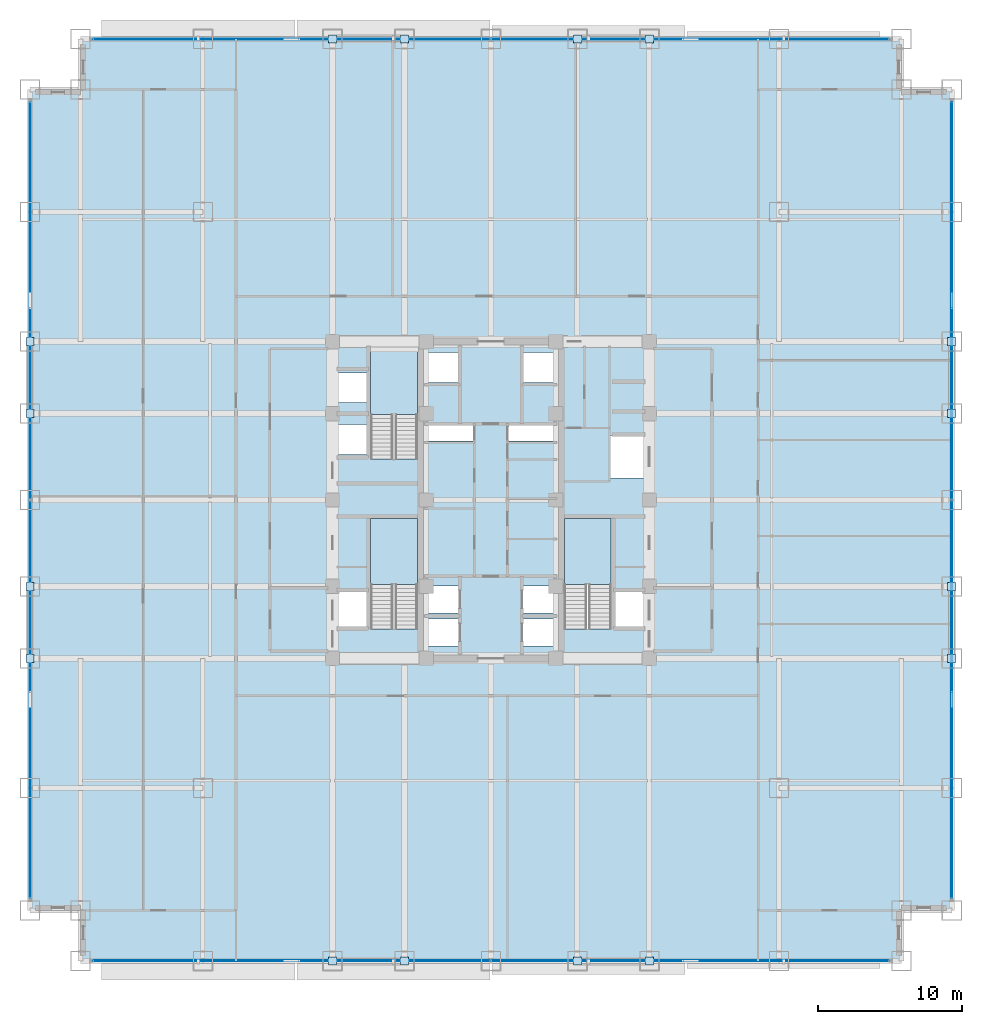
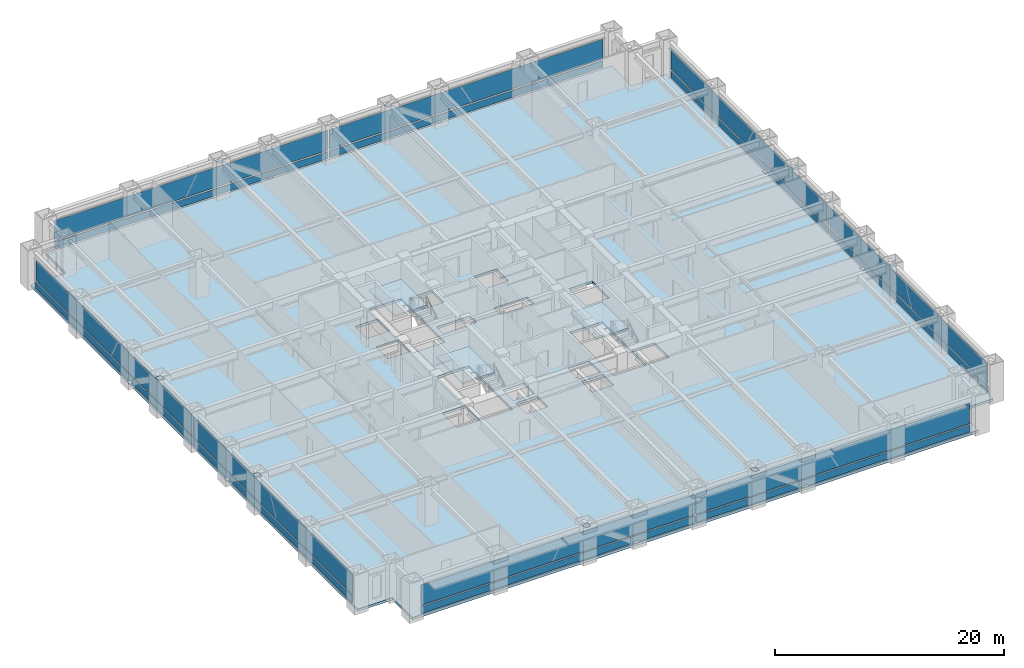
# One storey, part 22 of 32: 32 plates, 4 slabs, 7 elements without a shape of their own.
"""IFC4 building model written with IfcOpenShell, lengths in metres."""

from ifc_helpers import new_model, si_unit, direction, frame, origin, origin_2d, place, context, subcontext, project, spatial, polyline, rectangle, outline, extrude, source, transform, mapped, material, layer, layer_set, type_object, element, aggregate, save


model = new_model("IFC4")

# Units and contexts
model_context = context("Model", 3, precision=1e-05, world=origin(), true_north=direction((0.0, 1.0)))
body_context = subcontext(model_context, "Body", "Model", "MODEL_VIEW")
ifc_project = project(units=[si_unit("LENGTHUNIT", "METRE"), si_unit("AREAUNIT", "SQUARE_METRE"), si_unit("VOLUMEUNIT", "CUBIC_METRE"), si_unit("PLANEANGLEUNIT", "RADIAN"), si_unit("MASSUNIT", "GRAM", prefix="KILO")], contexts=[model_context])

# Site, building, storey
site_placement = place(None, origin())
site = spatial("IfcSite", under=ifc_project, at=site_placement, CompositionType="ELEMENT")
building_placement = place(site_placement, origin())
building = spatial("IfcBuilding", under=site, at=building_placement, Name="Khorayat Bourse Tower", CompositionType="ELEMENT")
storey_placement = place(building_placement, frame((0.0, 0.0, 70.39990234375)))
storey = spatial("IfcBuildingStorey", under=building, at=storey_placement, Name="L15", CompositionType="ELEMENT", Elevation=70.39990234375)

# Stair, slab
ifc_material_1 = material(Name="Concrete C40/50", Category="concrete")
stair_type = type_object("IfcStairType", Name="STR-CORE-1550", PredefinedType="HALF_TURN_STAIR", material=ifc_material_1)
stair_1_placement = place(storey_placement, origin())
stair_1 = element("IfcStair", 1, at=stair_1_placement, inside=storey, type_object=stair_type, Name="L15 Exit Stair ST-1", PredefinedType="HALF_TURN_STAIR")
ifc_layer_1 = layer(ifc_material_1, 0.199951171875)
ifc_layer_set_1 = layer_set([ifc_layer_1], Name="Concrete C40/50")
slab_type_1 = type_object("IfcSlabType", Name="SLB-LANDING-200", PredefinedType="LANDING", material=ifc_layer_set_1)
slab_1_placement = place(storey_placement, frame((0.0, 0.0, 1.900146484375)))
slab_1 = element("IfcSlab", 2, at=slab_1_placement, type_object=slab_type_1, Name="ST-1 landing 1", PredefinedType="LANDING", context=body_context, shape_type="SweptSolid", body=[
    extrude(outline(polyline([(-5.10009765625, -5.8701171875), (-5.10009765625, -1.300048828125), (-8.35009765625, -1.300048828125), (-8.35009765625, -5.8701171875), (-5.10009765625, -5.8701171875)])), origin(), (0.0, 0.0, 1.0), 0.199951171875),
])
aggregate(stair_1, [slab_1])

stair_2_placement = place(storey_placement, origin())
stair_2 = element("IfcStair", 3, at=stair_2_placement, inside=storey, type_object=stair_type, Name="L15 Exit Stair ST-2", PredefinedType="HALF_TURN_STAIR")
slab_2_placement = place(storey_placement, frame((0.0, 0.0, 1.900146484375)))
slab_2 = element("IfcSlab", 4, at=slab_2_placement, type_object=slab_type_1, Name="ST-2 landing 1", PredefinedType="LANDING", context=body_context, shape_type="SweptSolid", body=[
    extrude(outline(polyline([(-5.10009765625, 5.929931640625), (-5.10009765625, 10.5), (-8.35009765625, 10.5), (-8.35009765625, 5.929931640625), (-5.10009765625, 5.929931640625)])), origin(), (0.0, 0.0, 1.0), 0.199951171875),
])
aggregate(stair_2, [slab_2])

stair_3_placement = place(storey_placement, origin())
stair_3 = element("IfcStair", 5, at=stair_3_placement, inside=storey, type_object=stair_type, Name="L15 Exit Stair ST-3", PredefinedType="HALF_TURN_STAIR")
slab_3_placement = place(storey_placement, frame((0.0, 0.0, 1.900146484375)))
slab_3 = element("IfcSlab", 6, at=slab_3_placement, type_object=slab_type_1, Name="ST-3 landing 1", PredefinedType="LANDING", context=body_context, shape_type="SweptSolid", body=[
    extrude(outline(polyline([(8.35009765625, -5.8701171875), (8.35009765625, -1.300048828125), (5.10009765625, -1.300048828125), (5.10009765625, -5.8701171875), (8.35009765625, -5.8701171875)])), origin(), (0.0, 0.0, 1.0), 0.199951171875),
])
aggregate(stair_3, [slab_3])

# Slab
ifc_layer_2 = layer(ifc_material_1, 0.260009765625)
ifc_layer_set_2 = layer_set([ifc_layer_2], Name="Concrete C40/50")
slab_type_2 = type_object("IfcSlabType", Name="SLB-TRADE-260", PredefinedType="FLOOR", material=ifc_layer_set_2)
slab_4_placement = place(storey_placement, frame((0.0, 0.0, -0.260009765625)))
element("IfcSlab", 7, at=slab_4_placement, inside=storey, type_object=slab_type_2, Name="L15 Main Floor Slab", PredefinedType="FLOOR", context=body_context, shape_type="SweptSolid", body=[
    extrude(outline(polyline([(-28.5, -32.0), (28.5, -32.0), (28.5, -28.5), (32.0, -28.5), (32.0, 28.5), (28.5, 28.5), (28.5, 32.0), (-28.5, 32.0), (-28.5, 28.5), (-32.0, 28.5), (-32.0, -28.5), (-28.5, -28.5), (-28.5, -32.0)]), holes=[polyline([(-8.35009765625, -8.945068359375), (-5.10009765625, -8.945068359375), (-5.10009765625, -1.300048828125), (-8.35009765625, -1.300048828125), (-8.35009765625, -8.945068359375)]), polyline([(-8.35009765625, 2.85498046875), (-5.10009765625, 2.85498046875), (-5.10009765625, 10.5), (-8.35009765625, 10.5), (-8.35009765625, 2.85498046875)]), polyline([(5.10009765625, -8.945068359375), (8.35009765625, -8.945068359375), (8.35009765625, -1.300048828125), (5.10009765625, -1.300048828125), (5.10009765625, -8.945068359375)]), polyline([(-4.3798828125, -10.1298828125), (-2.219970703125, -10.1298828125), (-2.219970703125, -8.27001953125), (-4.3798828125, -8.27001953125), (-4.3798828125, -10.1298828125)]), polyline([(2.219970703125, -10.1298828125), (4.3798828125, -10.1298828125), (4.3798828125, -8.27001953125), (2.219970703125, -8.27001953125), (2.219970703125, -10.1298828125)]), polyline([(-4.3798828125, -7.830078125), (-2.219970703125, -7.830078125), (-2.219970703125, -5.969970703125), (-4.3798828125, -5.969970703125), (-4.3798828125, -7.830078125)]), polyline([(2.219970703125, -7.830078125), (4.3798828125, -7.830078125), (4.3798828125, -5.969970703125), (2.219970703125, -5.969970703125), (2.219970703125, -7.830078125)]), polyline([(-4.3798828125, 8.169921875), (-2.1201171875, 8.169921875), (-2.1201171875, 10.22998046875), (-4.3798828125, 10.22998046875), (-4.3798828125, 8.169921875)]), polyline([(2.1201171875, 8.169921875), (4.3798828125, 8.169921875), (4.3798828125, 10.22998046875), (2.1201171875, 10.22998046875), (2.1201171875, 8.169921875)]), polyline([(-10.679931640625, 3.169921875), (-8.419921875, 3.169921875), (-8.419921875, 5.22998046875), (-10.679931640625, 5.22998046875), (-10.679931640625, 3.169921875)]), polyline([(-10.679931640625, 6.77001953125), (-8.419921875, 6.77001953125), (-8.419921875, 8.830078125), (-10.679931640625, 8.830078125), (-10.679931640625, 6.77001953125)]), polyline([(-10.679931640625, -8.929931640625), (-8.419921875, -8.929931640625), (-8.419921875, -6.3701171875), (-10.679931640625, -6.3701171875), (-10.679931640625, -8.929931640625)]), polyline([(8.419921875, -8.929931640625), (10.679931640625, -8.929931640625), (10.679931640625, -6.3701171875), (8.419921875, -6.3701171875), (8.419921875, -8.929931640625)]), polyline([(8.320068359375, 1.52001953125), (10.679931640625, 1.52001953125), (10.679931640625, 4.47998046875), (8.320068359375, 4.47998046875), (8.320068359375, 1.52001953125)]), polyline([(-4.56005859375, 4.080078125), (-1.18994140625, 4.080078125), (-1.18994140625, 5.219970703125), (-4.56005859375, 5.219970703125), (-4.56005859375, 4.080078125)]), polyline([(1.18994140625, 4.080078125), (4.56005859375, 4.080078125), (4.56005859375, 5.219970703125), (1.18994140625, 5.219970703125), (1.18994140625, 4.080078125)])]), origin(), (0.0, 0.0, 1.0), 0.260009765625),
])

# Plates
ifc_material_2 = material(Name="Steel EN 10025-2 S355J2", Category="steel")
ifc_layer_3 = layer(ifc_material_2, 0.02490234375)
ifc_layer_set_3 = layer_set([ifc_layer_3], Name="Steel EN 10025-2 S355J2")
plate_type_1 = type_object("IfcPlateType", Name="PLT-ENDCAP-25", PredefinedType="SHEET", material=ifc_layer_set_3)
shared_shape_1 = source(origin(), body_context, "Body", "SweptSolid", [
    extrude(rectangle(XDim=0.56005859375, YDim=0.56005859375, at=origin_2d()), origin(), (0.0, 0.0, 1.0), 0.02490234375),
])
for number, where, z_axis, x_axis, name in (
    (8, (-11.0, -32.0, 3.677734375), (0.0, 0.0, 1.0), (1.0, 0.0, 0.0), "L15 Perimeter Brace End Plate 001"),
    (9, (-6.0, -32.0, 0.237548828125), (0.0, 0.0, 1.0), (1.0, 0.0, 0.0), "L15 Perimeter Brace End Plate 002"),
    (10, (6.0, -32.0, 3.677734375), (0.0, 0.0, 1.0), (1.0, 0.0, 0.0), "L15 Perimeter Brace End Plate 003"),
    (11, (11.0, -32.0, 0.237548828125), (0.0, 0.0, 1.0), (1.0, 0.0, 0.0), "L15 Perimeter Brace End Plate 004"),
    (12, (-11.0, 32.0, 3.677734375), (0.0, 0.0, 1.0), (1.0, 0.0, 0.0), "L15 Perimeter Brace End Plate 005"),
    (13, (-6.0, 32.0, 0.237548828125), (0.0, 0.0, 1.0), (1.0, 0.0, 0.0), "L15 Perimeter Brace End Plate 006"),
    (14, (6.0, 32.0, 3.677734375), (0.0, 0.0, 1.0), (1.0, 0.0, 0.0), "L15 Perimeter Brace End Plate 007"),
    (15, (11.0, 32.0, 0.237548828125), (0.0, 0.0, 1.0), (1.0, 0.0, 0.0), "L15 Perimeter Brace End Plate 008"),
    (16, (-32.0, -11.0, 3.677734375), (0.0, 0.0, 1.0), (1.0, 0.0, 0.0), "L15 Perimeter Brace End Plate 009"),
    (17, (-32.0, -6.0, 0.237548828125), (0.0, 0.0, 1.0), (1.0, 0.0, 0.0), "L15 Perimeter Brace End Plate 010"),
    (18, (-32.0, 6.0, 3.677734375), (0.0, 0.0, 1.0), (1.0, 0.0, 0.0), "L15 Perimeter Brace End Plate 011"),
    (19, (-32.0, 11.0, 0.237548828125), (0.0, 0.0, 1.0), (1.0, 0.0, 0.0), "L15 Perimeter Brace End Plate 012"),
    (20, (32.0, -11.0, 3.677734375), (0.0, 0.0, 1.0), (1.0, 0.0, 0.0), "L15 Perimeter Brace End Plate 013"),
    (21, (32.0, -6.0, 0.237548828125), (0.0, 0.0, 1.0), (1.0, 0.0, 0.0), "L15 Perimeter Brace End Plate 014"),
    (22, (32.0, 6.0, 3.677734375), (0.0, 0.0, 1.0), (1.0, 0.0, 0.0), "L15 Perimeter Brace End Plate 015"),
    (23, (32.0, 11.0, 0.237548828125), (0.0, 0.0, 1.0), (1.0, 0.0, 0.0), "L15 Perimeter Brace End Plate 016"),
):
    element("IfcPlate", number, at=place(storey_placement, frame(where, z_axis=z_axis, x_axis=x_axis)), inside=storey, type_object=plate_type_1, Name=name, PredefinedType="SHEET", context=body_context, shape_type="MappedRepresentation", body=[
        mapped(shared_shape_1, transform((0.0, 0.0, 0.0), scale=1.0)),
    ])

# Curtain wall, plates
ifc_material_3 = material(Name="Aluminium EN AW-6063 T6", Category="aluminium")
curtain_wall_type = type_object("IfcCurtainWallType", Name="CW-SYS-02", PredefinedType="NOTDEFINED", material=ifc_material_3)
curtain_wall_1_placement = place(storey_placement, origin())
curtain_wall_1 = element("IfcCurtainWall", 24, at=curtain_wall_1_placement, inside=storey, type_object=curtain_wall_type, Name="L15 Curtain Wall CW-L15-S1", PredefinedType="NOTDEFINED")
ifc_material_4 = material(Name="Honed desert limestone insulated spandrel", Category="masonry")
ifc_layer_4 = layer(ifc_material_4, 0.06494140625)
ifc_layer_set_4 = layer_set([ifc_layer_4], Name="Honed desert limestone insulated spandrel")
plate_type_2 = type_object("IfcPlateType", Name="CWP-SPAND-03", PredefinedType="CURTAIN_PANEL", material=ifc_layer_set_4)
shared_shape_2 = source(origin(), body_context, "Body", "SweptSolid", [
    extrude(rectangle(XDim=27.5400390625, YDim=0.06494140625, at=origin_2d()), origin(), (0.0, 0.0, 1.0), 0.739990234375),
])
plate_1_placement = place(storey_placement, frame((-13.840087890625, -32.0, 0.14013671875), z_axis=(0.0, 0.0, 1.0), x_axis=(1.0, 0.0, 0.0)))
plate_1 = element("IfcPlate", 25, at=plate_1_placement, type_object=plate_type_2, Name="CW-L15-S1 Spandrel Panel 1-1", PredefinedType="CURTAIN_PANEL", context=body_context, shape_type="MappedRepresentation", body=[
    mapped(shared_shape_2, transform((0.0, 0.0, 0.0), scale=1.0)),
])
plate_2_placement = place(storey_placement, frame((13.840087890625, -32.0, 0.14013671875), z_axis=(0.0, 0.0, 1.0), x_axis=(1.0, 0.0, 0.0)))
plate_2 = element("IfcPlate", 26, at=plate_2_placement, type_object=plate_type_2, Name="CW-L15-S1 Spandrel Panel 2-1", PredefinedType="CURTAIN_PANEL", context=body_context, shape_type="MappedRepresentation", body=[
    mapped(shared_shape_2, transform((0.0, 0.0, 0.0), scale=1.0)),
])

curtain_wall_2_placement = place(storey_placement, origin())
curtain_wall_2 = element("IfcCurtainWall", 27, at=curtain_wall_2_placement, inside=storey, type_object=curtain_wall_type, Name="L15 Curtain Wall CW-L15-N1", PredefinedType="NOTDEFINED")
plate_3_placement = place(storey_placement, frame((-13.840087890625, 32.0, 0.14013671875), z_axis=(0.0, 0.0, 1.0), x_axis=(1.0, 0.0, 0.0)))
plate_3 = element("IfcPlate", 28, at=plate_3_placement, type_object=plate_type_2, Name="CW-L15-N1 Spandrel Panel 1-1", PredefinedType="CURTAIN_PANEL", context=body_context, shape_type="MappedRepresentation", body=[
    mapped(shared_shape_2, transform((0.0, 0.0, 0.0), scale=1.0)),
])
plate_4_placement = place(storey_placement, frame((13.840087890625, 32.0, 0.14013671875), z_axis=(0.0, 0.0, 1.0), x_axis=(1.0, 0.0, 0.0)))
plate_4 = element("IfcPlate", 29, at=plate_4_placement, type_object=plate_type_2, Name="CW-L15-N1 Spandrel Panel 2-1", PredefinedType="CURTAIN_PANEL", context=body_context, shape_type="MappedRepresentation", body=[
    mapped(shared_shape_2, transform((0.0, 0.0, 0.0), scale=1.0)),
])

curtain_wall_3_placement = place(storey_placement, origin())
curtain_wall_3 = element("IfcCurtainWall", 30, at=curtain_wall_3_placement, inside=storey, type_object=curtain_wall_type, Name="L15 Curtain Wall CW-L15-W1", PredefinedType="NOTDEFINED")
plate_5_placement = place(storey_placement, frame((-32.0, -13.840087890625, 0.14013671875), z_axis=(0.0, 0.0, 1.0), x_axis=(0.0, 1.0, 0.0)))
plate_5 = element("IfcPlate", 31, at=plate_5_placement, type_object=plate_type_2, Name="CW-L15-W1 Spandrel Panel 1-1", PredefinedType="CURTAIN_PANEL", context=body_context, shape_type="MappedRepresentation", body=[
    mapped(shared_shape_2, transform((0.0, 0.0, 0.0), scale=1.0)),
])
plate_6_placement = place(storey_placement, frame((-32.0, 13.840087890625, 0.14013671875), z_axis=(0.0, 0.0, 1.0), x_axis=(0.0, 1.0, 0.0)))
plate_6 = element("IfcPlate", 32, at=plate_6_placement, type_object=plate_type_2, Name="CW-L15-W1 Spandrel Panel 2-1", PredefinedType="CURTAIN_PANEL", context=body_context, shape_type="MappedRepresentation", body=[
    mapped(shared_shape_2, transform((0.0, 0.0, 0.0), scale=1.0)),
])

curtain_wall_4_placement = place(storey_placement, origin())
curtain_wall_4 = element("IfcCurtainWall", 33, at=curtain_wall_4_placement, inside=storey, type_object=curtain_wall_type, Name="L15 Curtain Wall CW-L15-E1", PredefinedType="NOTDEFINED")
plate_7_placement = place(storey_placement, frame((32.0, -13.840087890625, 0.14013671875), z_axis=(0.0, 0.0, 1.0), x_axis=(0.0, 1.0, 0.0)))
plate_7 = element("IfcPlate", 34, at=plate_7_placement, type_object=plate_type_2, Name="CW-L15-E1 Spandrel Panel 1-1", PredefinedType="CURTAIN_PANEL", context=body_context, shape_type="MappedRepresentation", body=[
    mapped(shared_shape_2, transform((0.0, 0.0, 0.0), scale=1.0)),
])
plate_8_placement = place(storey_placement, frame((32.0, 13.840087890625, 0.14013671875), z_axis=(0.0, 0.0, 1.0), x_axis=(0.0, 1.0, 0.0)))
plate_8 = element("IfcPlate", 35, at=plate_8_placement, type_object=plate_type_2, Name="CW-L15-E1 Spandrel Panel 2-1", PredefinedType="CURTAIN_PANEL", context=body_context, shape_type="MappedRepresentation", body=[
    mapped(shared_shape_2, transform((0.0, 0.0, 0.0), scale=1.0)),
])

# Plate
ifc_material_5 = material(Name="Low-E solar-control laminated double glazing", Category="glass")
ifc_layer_5 = layer(ifc_material_5, 0.0419921875)
ifc_layer_set_5 = layer_set([ifc_layer_5], Name="Low-E solar-control laminated double glazing")
plate_type_3 = type_object("IfcPlateType", Name="CWP-FACET-02", PredefinedType="CURTAIN_PANEL", material=ifc_layer_set_5)
shared_shape_3 = source(origin(), body_context, "Body", "SweptSolid", [
    extrude(rectangle(XDim=27.5400390625, YDim=0.0419921875, at=origin_2d()), origin(), (0.0, 0.0, 1.0), 2.1298828125),
])
plate_9_placement = place(storey_placement, frame((-13.840087890625, -32.0, 1.020263671875), z_axis=(0.0, 0.0, 1.0), x_axis=(1.0, 0.0, 0.0)))
plate_9 = element("IfcPlate", 36, at=plate_9_placement, type_object=plate_type_3, Name="CW-L15-S1 Vision Panel 1-2", PredefinedType="CURTAIN_PANEL", context=body_context, shape_type="MappedRepresentation", body=[
    mapped(shared_shape_3, transform((0.0, 0.0, 0.0), scale=1.0)),
])

plate_10_placement = place(storey_placement, frame((13.840087890625, -32.0, 1.020263671875), z_axis=(0.0, 0.0, 1.0), x_axis=(1.0, 0.0, 0.0)))
plate_10 = element("IfcPlate", 37, at=plate_10_placement, type_object=plate_type_3, Name="CW-L15-S1 Vision Panel 2-2", PredefinedType="CURTAIN_PANEL", context=body_context, shape_type="MappedRepresentation", body=[
    mapped(shared_shape_3, transform((0.0, 0.0, 0.0), scale=1.0)),
])

aggregate(curtain_wall_1, [plate_1, plate_9, plate_2, plate_10])

plate_11_placement = place(storey_placement, frame((-13.840087890625, 32.0, 1.020263671875), z_axis=(0.0, 0.0, 1.0), x_axis=(1.0, 0.0, 0.0)))
plate_11 = element("IfcPlate", 38, at=plate_11_placement, type_object=plate_type_3, Name="CW-L15-N1 Vision Panel 1-2", PredefinedType="CURTAIN_PANEL", context=body_context, shape_type="MappedRepresentation", body=[
    mapped(shared_shape_3, transform((0.0, 0.0, 0.0), scale=1.0)),
])

plate_12_placement = place(storey_placement, frame((13.840087890625, 32.0, 1.020263671875), z_axis=(0.0, 0.0, 1.0), x_axis=(1.0, 0.0, 0.0)))
plate_12 = element("IfcPlate", 39, at=plate_12_placement, type_object=plate_type_3, Name="CW-L15-N1 Vision Panel 2-2", PredefinedType="CURTAIN_PANEL", context=body_context, shape_type="MappedRepresentation", body=[
    mapped(shared_shape_3, transform((0.0, 0.0, 0.0), scale=1.0)),
])

aggregate(curtain_wall_2, [plate_3, plate_11, plate_4, plate_12])

plate_13_placement = place(storey_placement, frame((-32.0, -13.840087890625, 1.020263671875), z_axis=(0.0, 0.0, 1.0), x_axis=(0.0, 1.0, 0.0)))
plate_13 = element("IfcPlate", 40, at=plate_13_placement, type_object=plate_type_3, Name="CW-L15-W1 Vision Panel 1-2", PredefinedType="CURTAIN_PANEL", context=body_context, shape_type="MappedRepresentation", body=[
    mapped(shared_shape_3, transform((0.0, 0.0, 0.0), scale=1.0)),
])

plate_14_placement = place(storey_placement, frame((-32.0, 13.840087890625, 1.020263671875), z_axis=(0.0, 0.0, 1.0), x_axis=(0.0, 1.0, 0.0)))
plate_14 = element("IfcPlate", 41, at=plate_14_placement, type_object=plate_type_3, Name="CW-L15-W1 Vision Panel 2-2", PredefinedType="CURTAIN_PANEL", context=body_context, shape_type="MappedRepresentation", body=[
    mapped(shared_shape_3, transform((0.0, 0.0, 0.0), scale=1.0)),
])

aggregate(curtain_wall_3, [plate_5, plate_13, plate_6, plate_14])

plate_15_placement = place(storey_placement, frame((32.0, -13.840087890625, 1.020263671875), z_axis=(0.0, 0.0, 1.0), x_axis=(0.0, 1.0, 0.0)))
plate_15 = element("IfcPlate", 42, at=plate_15_placement, type_object=plate_type_3, Name="CW-L15-E1 Vision Panel 1-2", PredefinedType="CURTAIN_PANEL", context=body_context, shape_type="MappedRepresentation", body=[
    mapped(shared_shape_3, transform((0.0, 0.0, 0.0), scale=1.0)),
])

plate_16_placement = place(storey_placement, frame((32.0, 13.840087890625, 1.020263671875), z_axis=(0.0, 0.0, 1.0), x_axis=(0.0, 1.0, 0.0)))
plate_16 = element("IfcPlate", 43, at=plate_16_placement, type_object=plate_type_3, Name="CW-L15-E1 Vision Panel 2-2", PredefinedType="CURTAIN_PANEL", context=body_context, shape_type="MappedRepresentation", body=[
    mapped(shared_shape_3, transform((0.0, 0.0, 0.0), scale=1.0)),
])

aggregate(curtain_wall_4, [plate_7, plate_15, plate_8, plate_16])

save(model, "model.ifc")
